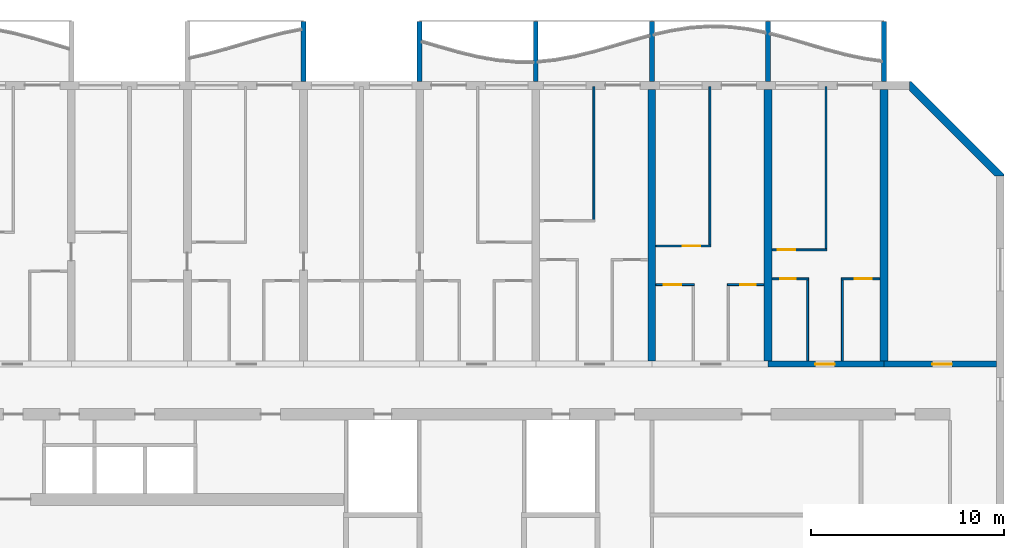
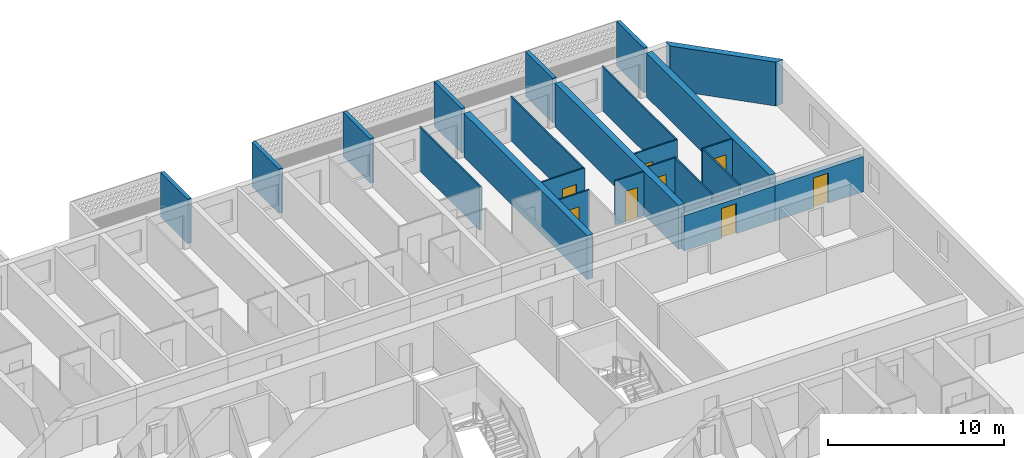
# One storey, part 17 of 40: 23 walls, 8 doors, 8 openings.
"""IFC4 building model written with IfcOpenShell, lengths in metres."""

from ifc_helpers import new_model, si_unit, direction, frame, frame_2d, origin, place, context, subcontext, project, spatial, polyline, rectangle, outline, extrude, source, transform, mapped, material, layer, layer_set, type_object, element, fill, save


model = new_model("IFC4")

# Units and contexts
model_context = context("Model", 3, precision=1e-05, world=origin(), true_north=direction((0.0, 1.0)))
body_context = subcontext(model_context, "Body", "Model", "MODEL_VIEW")
ifc_project = project(units=[si_unit("LENGTHUNIT", "METRE"), si_unit("AREAUNIT", "SQUARE_METRE"), si_unit("VOLUMEUNIT", "CUBIC_METRE"), si_unit("PLANEANGLEUNIT", "RADIAN"), si_unit("MASSUNIT", "GRAM", prefix="KILO")], contexts=[model_context])

# Site, building, storey
site_placement = place(None, origin())
site = spatial("IfcSite", under=ifc_project, at=site_placement, CompositionType="ELEMENT")
building_placement = place(site_placement, origin())
building = spatial("IfcBuilding", under=site, at=building_placement, Name="Poui Terraces", CompositionType="ELEMENT")
storey_placement = place(building_placement, frame((0.0, 0.0, 36.60009765625)))
storey = spatial("IfcBuildingStorey", under=building, at=storey_placement, Name="L09", CompositionType="ELEMENT", Elevation=36.60009765625)

# Wall, opening, door
ifc_material_1 = material(Name="Concrete 80 MPa", Category="concrete")
ifc_layer_1 = layer(ifc_material_1, 0.300048828125)
ifc_layer_set_1 = layer_set([ifc_layer_1], Name="Concrete 80 MPa")
wall_type_1 = type_object("IfcWallType", Name="CORRIDOR WALL 300 80MPa", PredefinedType="SHEAR", material=ifc_layer_set_1)
wall_1_placement = place(storey_placement, frame((90.0, 30.39990234375, 0.0), z_axis=(0.0, 0.0, 1.0), x_axis=(1.0, 0.0, 0.0)))
wall_1 = element("IfcWall", 1, at=wall_1_placement, inside=storey, type_object=wall_type_1, Name="CORRIDOR WALL LINE E BAY 16", PredefinedType="SHEAR", context=body_context, shape_type="SweptSolid", body=[
    extrude(rectangle(XDim=6.0, YDim=0.300048828125, at=frame_2d((3.0, 0.0))), origin(), (0.0, 0.0, 1.0), 2.449951171875),
])
opening_1_placement = place(wall_1_placement, frame((2.449951171875, 0.0, 0.0)))
opening_1 = element("IfcOpeningElement", 2, at=opening_1_placement, cuts=wall_1, Name="Opening FD30S", PredefinedType="OPENING", context=body_context, shape_type="SweptSolid", body=[
    extrude(rectangle(XDim=1.0, YDim=2.10009765625, at=frame_2d((0.5, 1.050048828125))), frame((0.0, 0.16015625, 0.0), z_axis=(0.0, -1.0, 0.0), x_axis=(1.0, 0.0, 0.0)), (0.0, 0.0, 1.0), 0.320068359375),
])
ifc_material_2 = material(Name="Steel fire door", Category="steel")
door_type_1 = type_object("IfcDoorType", Name="FLAT ENTRANCE DOOR 1000 X 2100", OperationType="NOTDEFINED", PredefinedType="DOOR", material=ifc_material_2)
door_1_placement = place(opening_1_placement, origin())
door_1 = element("IfcDoor", 3, at=door_1_placement, inside=storey, type_object=door_type_1, Name="FLAT ENTRANCE DOOR 087", OperationType="SINGLE_SWING_LEFT", OverallHeight=2.10009765625, OverallWidth=1.0, PredefinedType="DOOR", context=body_context, shape_type="SweptSolid", body=[
    extrude(rectangle(XDim=1.0, YDim=2.10009765625, at=frame_2d((0.5, 1.050048828125))), frame((0.0, 0.02490234375, 0.0), z_axis=(0.0, -1.0, 0.0), x_axis=(1.0, 0.0, 0.0)), (0.0, 0.0, 1.0), 0.050048828125),
])
fill(opening_1, door_1)

wall_2_placement = place(storey_placement, frame((96.0, 30.39990234375, 0.0), z_axis=(0.0, 0.0, 1.0), x_axis=(1.0, 0.0, 0.0)))
wall_2 = element("IfcWall", 4, at=wall_2_placement, inside=storey, type_object=wall_type_1, Name="CORRIDOR WALL LINE E BAY 17", PredefinedType="SHEAR", context=body_context, shape_type="SweptSolid", body=[
    extrude(rectangle(XDim=5.800048828125, YDim=0.300048828125, at=frame_2d((2.89990234375, 0.0))), origin(), (0.0, 0.0, 1.0), 2.449951171875),
])
opening_2_placement = place(wall_2_placement, frame((2.5, 0.0, 0.0)))
opening_2 = element("IfcOpeningElement", 5, at=opening_2_placement, cuts=wall_2, Name="Opening D100", PredefinedType="OPENING", context=body_context, shape_type="SweptSolid", body=[
    extrude(rectangle(XDim=1.0, YDim=2.10009765625, at=frame_2d((0.5, 1.050048828125))), frame((0.0, 0.16015625, 0.0), z_axis=(0.0, -1.0, 0.0), x_axis=(1.0, 0.0, 0.0)), (0.0, 0.0, 1.0), 0.320068359375),
])
ifc_material_3 = material(Name="Solid core timber door", Category="wood")
door_type_2 = type_object("IfcDoorType", Name="ACCESSIBLE INTERNAL DOOR 1000 X 2100", OperationType="NOTDEFINED", PredefinedType="DOOR", material=ifc_material_3)
door_2_placement = place(opening_2_placement, origin())
door_2 = element("IfcDoor", 6, at=door_2_placement, inside=storey, type_object=door_type_2, Name="ACCESSIBLE INTERNAL DOOR 089", OperationType="SINGLE_SWING_LEFT", OverallHeight=2.10009765625, OverallWidth=1.0, PredefinedType="DOOR", context=body_context, shape_type="SweptSolid", body=[
    extrude(rectangle(XDim=1.0, YDim=2.10009765625, at=frame_2d((0.5, 1.050048828125))), frame((0.0, 0.02490234375, 0.0), z_axis=(0.0, -1.0, 0.0), x_axis=(1.0, 0.0, 0.0)), (0.0, 0.0, 1.0), 0.050048828125),
])
fill(opening_2, door_2)

# Walls
ifc_layer_2 = layer(ifc_material_1, 0.39990234375)
ifc_layer_set_2 = layer_set([ifc_layer_2], Name="Concrete 80 MPa")
wall_type_2 = type_object("IfcWallType", Name="CROSS WALL 400 80MPa", PredefinedType="SHEAR", material=ifc_layer_set_2)
for number, where, z_axis, x_axis, name in (
    (7, (84.0, 30.550048828125, 0.0), (0.0, 0.0, 1.0), (0.0, 1.0, 0.0), "CROSS WALL LINE 15 NORTH"),
    (8, (90.0, 30.550048828125, 0.0), (0.0, 0.0, 1.0), (0.0, 1.0, 0.0), "CROSS WALL LINE 16 NORTH"),
    (9, (96.0, 30.550048828125, 0.0), (0.0, 0.0, 1.0), (0.0, 1.0, 0.0), "CROSS WALL LINE 17 NORTH"),
):
    element("IfcWall", number, at=place(storey_placement, frame(where, z_axis=z_axis, x_axis=x_axis)), inside=storey, type_object=wall_type_2, Name=name, PredefinedType="SHEAR", context=body_context, shape_type="SweptSolid", body=[
        extrude(rectangle(XDim=14.050048828125, YDim=0.39990234375, at=frame_2d((7.02490234375, 0.0))), origin(), (0.0, 0.0, 1.0), 3.0498046875),
    ])

# Wall, opening, door
ifc_material_4 = material(Name="Plasterboard partition")
ifc_layer_3 = layer(ifc_material_4, 0.10009765625)
ifc_layer_set_3 = layer_set([ifc_layer_3], Name="Plasterboard partition")
wall_type_3 = type_object("IfcWallType", Name="FLAT PARTITION 100", PredefinedType="PARTITIONING", material=ifc_layer_set_3)
wall_3_placement = place(storey_placement, frame((84.2099609375, 34.5, 0.0), z_axis=(0.0, 0.0, 1.0), x_axis=(1.0, 0.0, 0.0)))
wall_3 = element("IfcWall", 10, at=wall_3_placement, inside=storey, type_object=wall_type_3, Name="FLAT PARTITION 100", PredefinedType="PARTITIONING", context=body_context, shape_type="SweptSolid", body=[
    extrude(rectangle(XDim=1.989990234375, YDim=0.10009765625, at=frame_2d((0.9951171875, 0.0))), origin(), (0.0, 0.0, 1.0), 3.0498046875),
])
opening_3_placement = place(wall_3_placement, frame((0.4150390625, 0.0, 0.0)))
opening_3 = element("IfcOpeningElement", 11, at=opening_3_placement, cuts=wall_3, Name="Opening D90", PredefinedType="OPENING", context=body_context, shape_type="SweptSolid", body=[
    extrude(rectangle(XDim=0.89990234375, YDim=2.10009765625, at=frame_2d((0.449951171875, 1.050048828125))), frame((0.0, 0.06005859375, 0.0), z_axis=(0.0, -1.0, 0.0), x_axis=(1.0, 0.0, 0.0)), (0.0, 0.0, 1.0), 0.1201171875),
])
door_type_3 = type_object("IfcDoorType", Name="INTERNAL DOOR 900 X 2100", OperationType="NOTDEFINED", PredefinedType="DOOR", material=ifc_material_3)
door_3_placement = place(opening_3_placement, frame((0.89990234375, 0.0, 0.0), z_axis=(0.0, 0.0, 1.0), x_axis=(-1.0, 0.0, 0.0)))
door_3 = element("IfcDoor", 12, at=door_3_placement, inside=storey, type_object=door_type_3, Name="INTERNAL DOOR 081", OperationType="SINGLE_SWING_LEFT", OverallHeight=2.10009765625, OverallWidth=0.89990234375, PredefinedType="DOOR", context=body_context, shape_type="SweptSolid", body=[
    extrude(rectangle(XDim=0.89990234375, YDim=2.10009765625, at=frame_2d((0.449951171875, 1.050048828125))), frame((0.0, 0.02490234375, 0.0), z_axis=(0.0, -1.0, 0.0), x_axis=(1.0, 0.0, 0.0)), (0.0, 0.0, 1.0), 0.050048828125),
])
fill(opening_3, door_3)

wall_4_placement = place(storey_placement, frame((87.89990234375, 34.5, 0.0), z_axis=(0.0, 0.0, 1.0), x_axis=(1.0, 0.0, 0.0)))
wall_4 = element("IfcWall", 13, at=wall_4_placement, inside=storey, type_object=wall_type_3, Name="FLAT PARTITION 100", PredefinedType="PARTITIONING", context=body_context, shape_type="SweptSolid", body=[
    extrude(rectangle(XDim=1.89013671875, YDim=0.10009765625, at=frame_2d((0.945068359375, 0.0))), origin(), (0.0, 0.0, 1.0), 3.0498046875),
])
opening_4_placement = place(wall_4_placement, frame((0.675048828125, 0.0, 0.0)))
opening_4 = element("IfcOpeningElement", 14, at=opening_4_placement, cuts=wall_4, Name="Opening D80", PredefinedType="OPENING", context=body_context, shape_type="SweptSolid", body=[
    extrude(rectangle(XDim=0.800048828125, YDim=2.10009765625, at=frame_2d((0.39990234375, 1.050048828125))), frame((0.0, 0.06005859375, 0.0), z_axis=(0.0, -1.0, 0.0), x_axis=(1.0, 0.0, 0.0)), (0.0, 0.0, 1.0), 0.1201171875),
])
door_type_4 = type_object("IfcDoorType", Name="BATHROOM, LAUNDRY AND STORE DOOR 800 X 2100", OperationType="NOTDEFINED", PredefinedType="DOOR", material=ifc_material_3)
door_4_placement = place(opening_4_placement, frame((0.800048828125, 0.0, 0.0), z_axis=(0.0, 0.0, 1.0), x_axis=(-1.0, 0.0, 0.0)))
door_4 = element("IfcDoor", 15, at=door_4_placement, inside=storey, type_object=door_type_4, Name="BATHROOM, LAUNDRY AND STORE DOOR 084", OperationType="SINGLE_SWING_RIGHT", OverallHeight=2.10009765625, OverallWidth=0.800048828125, PredefinedType="DOOR", context=body_context, shape_type="SweptSolid", body=[
    extrude(rectangle(XDim=0.800048828125, YDim=2.10009765625, at=frame_2d((0.39990234375, 1.050048828125))), frame((0.0, 0.02490234375, 0.0), z_axis=(0.0, -1.0, 0.0), x_axis=(1.0, 0.0, 0.0)), (0.0, 0.0, 1.0), 0.050048828125),
])
fill(opening_4, door_4)

wall_5_placement = place(storey_placement, frame((90.2099609375, 34.800048828125, 0.0), z_axis=(0.0, 0.0, 1.0), x_axis=(1.0, 0.0, 0.0)))
wall_5 = element("IfcWall", 16, at=wall_5_placement, inside=storey, type_object=wall_type_3, Name="FLAT PARTITION 100", PredefinedType="PARTITIONING", context=body_context, shape_type="SweptSolid", body=[
    extrude(rectangle(XDim=1.89013671875, YDim=0.10009765625, at=frame_2d((0.945068359375, 0.0))), origin(), (0.0, 0.0, 1.0), 3.0498046875),
])
opening_5_placement = place(wall_5_placement, frame((0.4150390625, 0.0, 0.0)))
opening_5 = element("IfcOpeningElement", 17, at=opening_5_placement, cuts=wall_5, Name="Opening D80", PredefinedType="OPENING", context=body_context, shape_type="SweptSolid", body=[
    extrude(rectangle(XDim=0.800048828125, YDim=2.10009765625, at=frame_2d((0.39990234375, 1.050048828125))), frame((0.0, 0.06005859375, 0.0), z_axis=(0.0, -1.0, 0.0), x_axis=(1.0, 0.0, 0.0)), (0.0, 0.0, 1.0), 0.1201171875),
])
door_5_placement = place(opening_5_placement, frame((0.800048828125, 0.0, 0.0), z_axis=(0.0, 0.0, 1.0), x_axis=(-1.0, 0.0, 0.0)))
door_5 = element("IfcDoor", 18, at=door_5_placement, inside=storey, type_object=door_type_4, Name="BATHROOM, LAUNDRY AND STORE DOOR 086", OperationType="SINGLE_SWING_RIGHT", OverallHeight=2.10009765625, OverallWidth=0.800048828125, PredefinedType="DOOR", context=body_context, shape_type="SweptSolid", body=[
    extrude(rectangle(XDim=0.800048828125, YDim=2.10009765625, at=frame_2d((0.39990234375, 1.050048828125))), frame((0.0, 0.02490234375, 0.0), z_axis=(0.0, -1.0, 0.0), x_axis=(1.0, 0.0, 0.0)), (0.0, 0.0, 1.0), 0.050048828125),
])
fill(opening_5, door_5)

wall_6_placement = place(storey_placement, frame((93.800048828125, 34.800048828125, 0.0), z_axis=(0.0, 0.0, 1.0), x_axis=(1.0, 0.0, 0.0)))
wall_6 = element("IfcWall", 19, at=wall_6_placement, inside=storey, type_object=wall_type_3, Name="FLAT PARTITION 100", PredefinedType="PARTITIONING", context=body_context, shape_type="SweptSolid", body=[
    extrude(rectangle(XDim=1.989990234375, YDim=0.10009765625, at=frame_2d((0.9951171875, 0.0))), origin(), (0.0, 0.0, 1.0), 3.0498046875),
])
opening_6_placement = place(wall_6_placement, frame((0.675048828125, 0.0, 0.0)))
opening_6 = element("IfcOpeningElement", 20, at=opening_6_placement, cuts=wall_6, Name="Opening D90", PredefinedType="OPENING", context=body_context, shape_type="SweptSolid", body=[
    extrude(rectangle(XDim=0.89990234375, YDim=2.10009765625, at=frame_2d((0.449951171875, 1.050048828125))), frame((0.0, 0.06005859375, 0.0), z_axis=(0.0, -1.0, 0.0), x_axis=(1.0, 0.0, 0.0)), (0.0, 0.0, 1.0), 0.1201171875),
])
door_6_placement = place(opening_6_placement, frame((0.89990234375, 0.0, 0.0), z_axis=(0.0, 0.0, 1.0), x_axis=(-1.0, 0.0, 0.0)))
door_6 = element("IfcDoor", 21, at=door_6_placement, inside=storey, type_object=door_type_3, Name="INTERNAL DOOR 088", OperationType="SINGLE_SWING_LEFT", OverallHeight=2.10009765625, OverallWidth=0.89990234375, PredefinedType="DOOR", context=body_context, shape_type="SweptSolid", body=[
    extrude(rectangle(XDim=0.89990234375, YDim=2.10009765625, at=frame_2d((0.449951171875, 1.050048828125))), frame((0.0, 0.02490234375, 0.0), z_axis=(0.0, -1.0, 0.0), x_axis=(1.0, 0.0, 0.0)), (0.0, 0.0, 1.0), 0.050048828125),
])
fill(opening_6, door_6)

wall_7_placement = place(storey_placement, frame((90.2099609375, 36.300048828125, 0.0), z_axis=(0.0, 0.0, 1.0), x_axis=(1.0, 0.0, 0.0)))
wall_7 = element("IfcWall", 22, at=wall_7_placement, inside=storey, type_object=wall_type_3, Name="FLAT PARTITION 100", PredefinedType="PARTITIONING", context=body_context, shape_type="SweptSolid", body=[
    extrude(rectangle(XDim=2.840087890625, YDim=0.10009765625, at=frame_2d((1.419921875, 0.0))), origin(), (0.0, 0.0, 1.0), 3.0498046875),
])
opening_7_placement = place(wall_7_placement, frame((0.2900390625, 0.0, 0.0)))
opening_7 = element("IfcOpeningElement", 23, at=opening_7_placement, cuts=wall_7, Name="Opening D90", PredefinedType="OPENING", context=body_context, shape_type="SweptSolid", body=[
    extrude(rectangle(XDim=0.89990234375, YDim=2.10009765625, at=frame_2d((0.449951171875, 1.050048828125))), frame((0.0, 0.06005859375, 0.0), z_axis=(0.0, -1.0, 0.0), x_axis=(1.0, 0.0, 0.0)), (0.0, 0.0, 1.0), 0.1201171875),
])
door_7_placement = place(opening_7_placement, frame((0.89990234375, 0.0, 0.0), z_axis=(0.0, 0.0, 1.0), x_axis=(-1.0, 0.0, 0.0)))
door_7 = element("IfcDoor", 24, at=door_7_placement, inside=storey, type_object=door_type_3, Name="INTERNAL DOOR 085", OperationType="SINGLE_SWING_LEFT", OverallHeight=2.10009765625, OverallWidth=0.89990234375, PredefinedType="DOOR", context=body_context, shape_type="SweptSolid", body=[
    extrude(rectangle(XDim=0.89990234375, YDim=2.10009765625, at=frame_2d((0.449951171875, 1.050048828125))), frame((0.0, 0.02490234375, 0.0), z_axis=(0.0, -1.0, 0.0), x_axis=(1.0, 0.0, 0.0)), (0.0, 0.0, 1.0), 0.050048828125),
])
fill(opening_7, door_7)

wall_8_placement = place(storey_placement, frame((84.2099609375, 36.5, 0.0), z_axis=(0.0, 0.0, 1.0), x_axis=(1.0, 0.0, 0.0)))
wall_8 = element("IfcWall", 25, at=wall_8_placement, inside=storey, type_object=wall_type_3, Name="FLAT PARTITION 100", PredefinedType="PARTITIONING", context=body_context, shape_type="SweptSolid", body=[
    extrude(rectangle(XDim=2.840087890625, YDim=0.10009765625, at=frame_2d((1.419921875, 0.0))), origin(), (0.0, 0.0, 1.0), 3.0498046875),
])
opening_8_placement = place(wall_8_placement, frame((1.389892578125, 0.0, 0.0)))
opening_8 = element("IfcOpeningElement", 26, at=opening_8_placement, cuts=wall_8, Name="Opening D90", PredefinedType="OPENING", context=body_context, shape_type="SweptSolid", body=[
    extrude(rectangle(XDim=0.89990234375, YDim=2.10009765625, at=frame_2d((0.449951171875, 1.050048828125))), frame((0.0, 0.06005859375, 0.0), z_axis=(0.0, -1.0, 0.0), x_axis=(1.0, 0.0, 0.0)), (0.0, 0.0, 1.0), 0.1201171875),
])
door_8_placement = place(opening_8_placement, frame((0.89990234375, 0.0, 0.0), z_axis=(0.0, 0.0, 1.0), x_axis=(-1.0, 0.0, 0.0)))
door_8 = element("IfcDoor", 27, at=door_8_placement, inside=storey, type_object=door_type_3, Name="INTERNAL DOOR 082", OperationType="SINGLE_SWING_RIGHT", OverallHeight=2.10009765625, OverallWidth=0.89990234375, PredefinedType="DOOR", context=body_context, shape_type="SweptSolid", body=[
    extrude(rectangle(XDim=0.89990234375, YDim=2.10009765625, at=frame_2d((0.449951171875, 1.050048828125))), frame((0.0, 0.02490234375, 0.0), z_axis=(0.0, -1.0, 0.0), x_axis=(1.0, 0.0, 0.0)), (0.0, 0.0, 1.0), 0.050048828125),
])
fill(opening_8, door_8)

# Walls
wall_9_placement = place(storey_placement, frame((81.0, 37.85009765625, 0.0), z_axis=(0.0, 0.0, 1.0), x_axis=(0.0, 1.0, 0.0)))
element("IfcWall", 28, at=wall_9_placement, inside=storey, type_object=wall_type_3, Name="FLAT PARTITION 100", PredefinedType="PARTITIONING", context=body_context, shape_type="SweptSolid", body=[
    extrude(rectangle(XDim=6.889892578125, YDim=0.10009765625, at=frame_2d((3.44482421875, 0.0))), origin(), (0.0, 0.0, 1.0), 3.0498046875),
])
wall_10_placement = place(storey_placement, frame((87.0, 36.550048828125, 0.0), z_axis=(0.0, 0.0, 1.0), x_axis=(0.0, 1.0, 0.0)))
element("IfcWall", 29, at=wall_10_placement, inside=storey, type_object=wall_type_3, Name="FLAT PARTITION 100", PredefinedType="PARTITIONING", context=body_context, shape_type="SweptSolid", body=[
    extrude(rectangle(XDim=8.18994140625, YDim=0.10009765625, at=frame_2d((4.094970703125, 0.0))), origin(), (0.0, 0.0, 1.0), 3.0498046875),
])
wall_11_placement = place(storey_placement, frame((92.050048828125, 30.56005859375, 0.0), z_axis=(0.0, 0.0, 1.0), x_axis=(0.0, 1.0, 0.0)))
element("IfcWall", 30, at=wall_11_placement, inside=storey, type_object=wall_type_3, Name="FLAT PARTITION 100", PredefinedType="PARTITIONING", context=body_context, shape_type="SweptSolid", body=[
    extrude(rectangle(XDim=4.18994140625, YDim=0.10009765625, at=frame_2d((2.094970703125, 0.0))), origin(), (0.0, 0.0, 1.0), 3.0498046875),
])
wall_12_placement = place(storey_placement, frame((93.0, 36.35009765625, 0.0), z_axis=(0.0, 0.0, 1.0), x_axis=(0.0, 1.0, 0.0)))
element("IfcWall", 31, at=wall_12_placement, inside=storey, type_object=wall_type_3, Name="FLAT PARTITION 100", PredefinedType="PARTITIONING", context=body_context, shape_type="SweptSolid", body=[
    extrude(rectangle(XDim=8.389892578125, YDim=0.10009765625, at=frame_2d((4.19482421875, 0.0))), origin(), (0.0, 0.0, 1.0), 3.0498046875),
])
wall_13_placement = place(storey_placement, frame((93.85009765625, 30.56005859375, 0.0), z_axis=(0.0, 0.0, 1.0), x_axis=(0.0, 1.0, 0.0)))
element("IfcWall", 32, at=wall_13_placement, inside=storey, type_object=wall_type_3, Name="FLAT PARTITION 100", PredefinedType="PARTITIONING", context=body_context, shape_type="SweptSolid", body=[
    extrude(rectangle(XDim=4.18994140625, YDim=0.10009765625, at=frame_2d((2.094970703125, 0.0))), origin(), (0.0, 0.0, 1.0), 3.0498046875),
])
ifc_material_5 = material(Name="Precast concrete 40 MPa", Category="concrete")
ifc_layer_4 = layer(ifc_material_5, 0.39990234375)
ifc_layer_set_4 = layer_set([ifc_layer_4], Name="Precast concrete 40 MPa")
wall_type_4 = type_object("IfcWallType", Name="TERRACOTTA CLAD CHAMFER WALL 400", PredefinedType="STANDARD", material=ifc_layer_set_4)
wall_14_placement = place(storey_placement, origin())
element("IfcWall", 33, at=wall_14_placement, inside=storey, type_object=wall_type_4, Name="CHAMFER WALL CH03", PredefinedType="STANDARD", context=body_context, shape_type="SweptSolid", body=[
    extrude(outline(polyline([(102.199951171875, 40.1171875), (102.199951171875, 40.199951171875), (97.39990234375, 45.0), (97.317138671875, 45.0), (97.317138671875, 44.51708984375), (101.71728515625, 40.1171875), (102.199951171875, 40.1171875)])), origin(), (0.0, 0.0, 1.0), 3.0498046875),
])
ifc_layer_5 = layer(ifc_material_5, 0.25)
ifc_layer_set_5 = layer_set([ifc_layer_5], Name="Precast concrete 40 MPa")
wall_type_5 = type_object("IfcWallType", Name="BALCONY FIN 250", PredefinedType="STANDARD", material=ifc_layer_set_5)
shared_shape = source(origin(), body_context, "Body", "SweptSolid", [
    extrude(outline(polyline([(0.0, 0.0), (0.25, 0.0), (0.25, 3.10009765625), (0.0, 3.10009765625), (0.0, 0.0)])), origin(), (0.0, 0.0, 1.0), 3.099853515625),
])
for number, where, name in (
    (34, (65.875, 45.0, 0.0), "BALCONY FIN"),
    (35, (71.875, 45.0, 0.0), "BALCONY FIN"),
    (36, (77.875, 45.0, 0.0), "BALCONY FIN"),
    (37, (83.875, 45.0, 0.0), "BALCONY FIN"),
    (38, (89.875, 45.0, 0.0), "BALCONY FIN"),
    (39, (95.875, 45.0, 0.0), "BALCONY FIN"),
):
    element("IfcWall", number, at=place(storey_placement, frame(where)), inside=storey, type_object=wall_type_5, Name=name, PredefinedType="STANDARD", context=body_context, shape_type="MappedRepresentation", body=[
        mapped(shared_shape, transform((0.0, 0.0, 0.0))),
    ])

save(model, "model.ifc")
